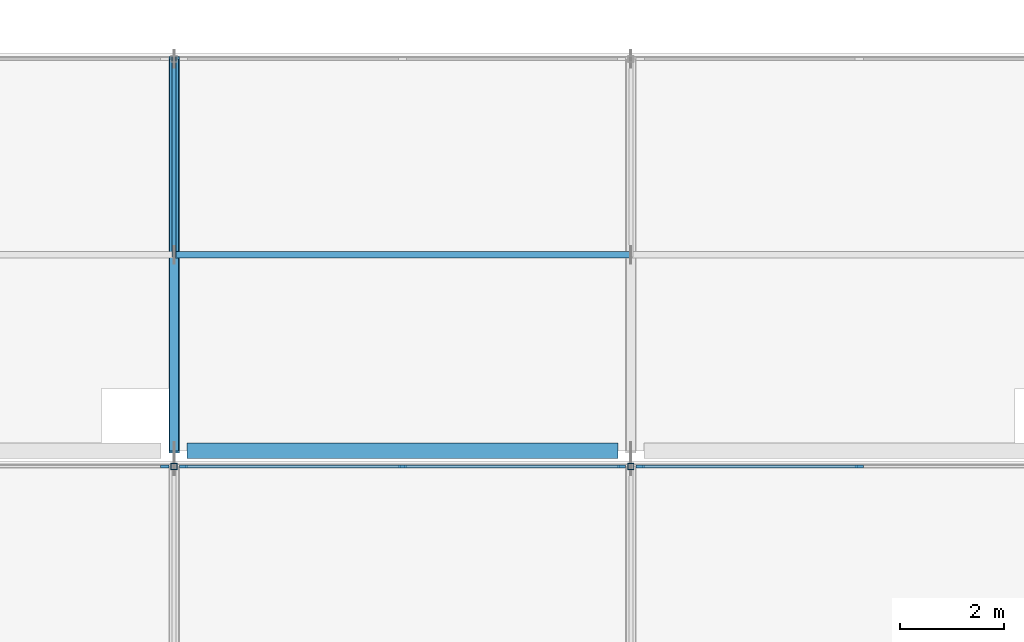
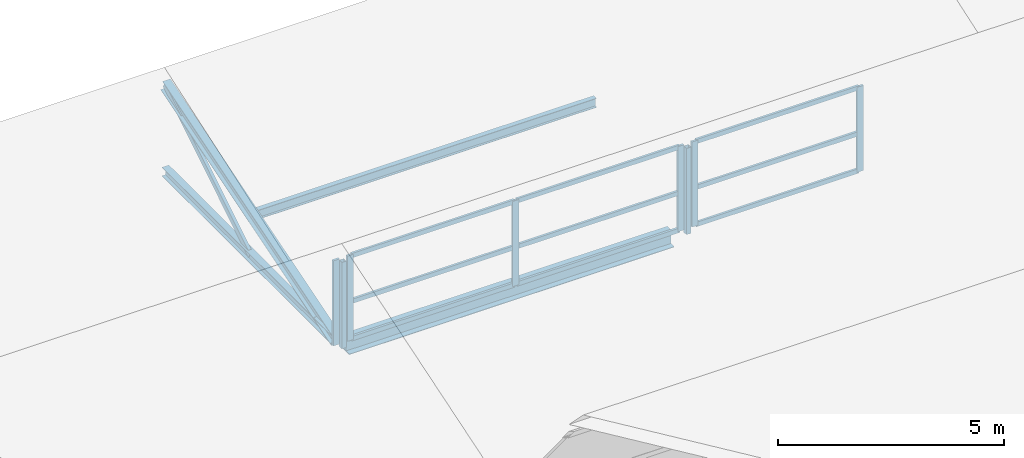
# One storey, part 8 of 40: 21 members, 1 beam, 3 elements without a shape of their own.
"""IFC4 building model written with IfcOpenShell, lengths in metres."""

from ifc_helpers import new_model, si_unit, direction, frame, origin, origin_2d, place, context, subcontext, project, spatial, rectangle, hollow_rectangle, i_section, extrude, material, material_profile, profile_set, type_object, element, aggregate, save


model = new_model("IFC4")

# Units and contexts
model_context = context("Model", 3, precision=1e-05, world=origin(), true_north=direction((0.0, 1.0)))
body_context = subcontext(model_context, "Body", "Model", "MODEL_VIEW")
ifc_project = project(units=[si_unit("LENGTHUNIT", "METRE"), si_unit("AREAUNIT", "SQUARE_METRE"), si_unit("VOLUMEUNIT", "CUBIC_METRE"), si_unit("PLANEANGLEUNIT", "RADIAN"), si_unit("MASSUNIT", "GRAM", prefix="KILO")], contexts=[model_context])

# Site, building, storey
site_placement = place(None, origin())
site = spatial("IfcSite", under=ifc_project, at=site_placement, CompositionType="ELEMENT")
building_placement = place(site_placement, origin())
building = spatial("IfcBuilding", under=site, at=building_placement, Name="Brinegate Botanical Conservatory", CompositionType="ELEMENT")
storey_placement = place(building_placement, frame((0.0, 0.0, 19.199951171875)))
storey = spatial("IfcBuildingStorey", under=building, at=storey_placement, Name="L05", CompositionType="ELEMENT", Elevation=19.199951171875)

# Beam
ifc_material_1 = material(Name="Structural steel Q355B / S355", Category="steel")
ifc_material_profile_1 = material_profile(ifc_material_1, i_section(OverallWidth=0.300048828125, OverallDepth=0.389892578125, WebThickness=0.010009765625, FlangeThickness=0.01611328125, at=origin_2d()), Name="HM 390x300x10x16")
ifc_profile_set_1 = profile_set([ifc_material_profile_1], Name="Structural steel Q355B / S355")
beam_type = type_object("IfcBeamType", Name="Beam_BM-S5", PredefinedType="BEAM", material=ifc_profile_set_1)
beam_placement = place(storey_placement, frame((68.64990234375, 103.60009765625, -0.179931640625), z_axis=(1.0, 0.0, 0.0), x_axis=(0.0, 1.0, 0.0)))
element("IfcBeam", 1, at=beam_placement, inside=storey, type_object=beam_type, Name="Sawtooth valley girder BM-S5 B3.3", PredefinedType="BEAM", context=body_context, shape_type="SweptSolid", body=[
    extrude(i_section(OverallWidth=0.300048828125, OverallDepth=0.389892578125, WebThickness=0.010009765625, FlangeThickness=0.01611328125, at=origin_2d()), origin(), (0.0, 0.0, 1.0), 8.300048828125),
])

# Curtain wall, member
ifc_material_2 = material(Name="Thermally broken anodised aluminium AW-6063-T6", Category="aluminium")
curtain_wall_type = type_object("IfcCurtainWallType", Name="CW_CW-SAW", PredefinedType="USERDEFINED", material=ifc_material_2)
curtain_wall_1_placement = place(storey_placement, origin())
curtain_wall_1 = element("IfcCurtainWall", 2, at=curtain_wall_1_placement, inside=storey, type_object=curtain_wall_type, Name="Sawtooth north-light clerestory B2.2", ObjectType="FACTORY CURTAIN WALL", PredefinedType="USERDEFINED")
ifc_material_profile_2 = material_profile(ifc_material_2, rectangle(XDim=0.06005859375, YDim=0.159912109375, at=origin_2d()), Name="ALUM MULLION 60x160")
ifc_profile_set_2 = profile_set([ifc_material_profile_2], Name="Thermally broken anodised aluminium AW-6063-T6")
member_type_1 = type_object("IfcMemberType", Name="Member_ML-01", PredefinedType="MULLION", material=ifc_profile_set_2)
member_1_placement = place(storey_placement, frame((68.219970703125, 103.300048828125, 0.150146484375), z_axis=(0.0, 0.0, 1.0), x_axis=(0.0, 1.0, 0.0)))
member_1 = element("IfcMember", 3, at=member_1_placement, type_object=member_type_1, Name="CW-SAW mullion 3", PredefinedType="MULLION", context=body_context, shape_type="SweptSolid", body=[
    extrude(rectangle(XDim=0.06005859375, YDim=0.159912109375, at=origin_2d()), origin(), (0.0, 0.0, 1.0), 2.2998046875),
])
aggregate(curtain_wall_1, [member_1])

# Curtain wall, members
curtain_wall_2_placement = place(storey_placement, origin())
curtain_wall_2 = element("IfcCurtainWall", 4, at=curtain_wall_2_placement, inside=storey, type_object=curtain_wall_type, Name="Sawtooth north-light clerestory B2.3", ObjectType="FACTORY CURTAIN WALL", PredefinedType="USERDEFINED")
member_2_placement = place(storey_placement, frame((68.580078125, 103.300048828125, 0.150146484375), z_axis=(0.0, 0.0, 1.0), x_axis=(0.0, 1.0, 0.0)))
member_2 = element("IfcMember", 5, at=member_2_placement, type_object=member_type_1, Name="CW-SAW mullion 1", PredefinedType="MULLION", context=body_context, shape_type="SweptSolid", body=[
    extrude(rectangle(XDim=0.06005859375, YDim=0.159912109375, at=origin_2d()), origin(), (0.0, 0.0, 1.0), 2.2998046875),
])
member_3_placement = place(storey_placement, frame((72.800048828125, 103.300048828125, 0.150146484375), z_axis=(0.0, 0.0, 1.0), x_axis=(0.0, 1.0, 0.0)))
member_3 = element("IfcMember", 6, at=member_3_placement, type_object=member_type_1, Name="CW-SAW mullion 2", PredefinedType="MULLION", context=body_context, shape_type="SweptSolid", body=[
    extrude(rectangle(XDim=0.06005859375, YDim=0.159912109375, at=origin_2d()), origin(), (0.0, 0.0, 1.0), 2.2998046875),
])
member_4_placement = place(storey_placement, frame((77.02001953125, 103.300048828125, 0.150146484375), z_axis=(0.0, 0.0, 1.0), x_axis=(0.0, 1.0, 0.0)))
member_4 = element("IfcMember", 7, at=member_4_placement, type_object=member_type_1, Name="CW-SAW mullion 3", PredefinedType="MULLION", context=body_context, shape_type="SweptSolid", body=[
    extrude(rectangle(XDim=0.06005859375, YDim=0.159912109375, at=origin_2d()), origin(), (0.0, 0.0, 1.0), 2.2998046875),
])

curtain_wall_3_placement = place(storey_placement, origin())
curtain_wall_3 = element("IfcCurtainWall", 8, at=curtain_wall_3_placement, inside=storey, type_object=curtain_wall_type, Name="Sawtooth north-light clerestory B2.4", ObjectType="FACTORY CURTAIN WALL", PredefinedType="USERDEFINED")
member_5_placement = place(storey_placement, frame((77.3798828125, 103.300048828125, 0.150146484375), z_axis=(0.0, 0.0, 1.0), x_axis=(0.0, 1.0, 0.0)))
member_5 = element("IfcMember", 9, at=member_5_placement, type_object=member_type_1, Name="CW-SAW mullion 1", PredefinedType="MULLION", context=body_context, shape_type="SweptSolid", body=[
    extrude(rectangle(XDim=0.06005859375, YDim=0.159912109375, at=origin_2d()), origin(), (0.0, 0.0, 1.0), 2.2998046875),
])
member_6_placement = place(storey_placement, frame((81.60009765625, 103.300048828125, 0.150146484375), z_axis=(0.0, 0.0, 1.0), x_axis=(0.0, 1.0, 0.0)))
member_6 = element("IfcMember", 10, at=member_6_placement, type_object=member_type_1, Name="CW-SAW mullion 2", PredefinedType="MULLION", context=body_context, shape_type="SweptSolid", body=[
    extrude(rectangle(XDim=0.06005859375, YDim=0.159912109375, at=origin_2d()), origin(), (0.0, 0.0, 1.0), 2.2998046875),
])

# Members
ifc_material_profile_3 = material_profile(ifc_material_1, hollow_rectangle(XDim=0.080078125, YDim=0.159912109375, WallThickness=0.006103515625, at=origin_2d()), Name="RHS 160x80x6")
ifc_profile_set_3 = profile_set([ifc_material_profile_3], Name="Structural steel Q355B / S355")
member_type_2 = type_object("IfcMemberType", Name="Member_SB-01", PredefinedType="BRACE", material=ifc_profile_set_3)
member_7_placement = place(storey_placement, frame((68.39990234375, 107.375, 0.02001953125), z_axis=(0.0, 0.850947042806, 0.525251492468), x_axis=(-1.0, 0.0, 0.0)))
element("IfcMember", 11, at=member_7_placement, inside=storey, type_object=member_type_2, Name="Sawtooth web diagonal SB-01 B3.T3", PredefinedType="BRACE", context=body_context, shape_type="SweptSolid", body=[
    extrude(hollow_rectangle(XDim=0.080078125, YDim=0.159912109375, WallThickness=0.006103515625, at=origin_2d()), origin(), (0.0, 0.0, 1.0), 4.43603515625),
])
ifc_material_profile_4 = material_profile(ifc_material_1, i_section(OverallWidth=0.199951171875, OverallDepth=0.2939453125, WebThickness=0.008056640625, FlangeThickness=0.011962890625, at=origin_2d()), Name="HM 294x200x8x12")
ifc_profile_set_4 = profile_set([ifc_material_profile_4], Name="Structural steel Q355B / S355")
member_type_3 = type_object("IfcMemberType", Name="Member_SC-01", PredefinedType="CHORD", material=ifc_profile_set_4)
member_8_placement = place(storey_placement, frame((68.39990234375, 103.60009765625, 0.02001953125), z_axis=(0.0, 0.955527457741, 0.294902149032), x_axis=(-1.0, 0.0, 0.0)))
element("IfcMember", 12, at=member_8_placement, inside=storey, type_object=member_type_3, Name="Sawtooth rafter chord SC-01 B3.T3", PredefinedType="CHORD", context=body_context, shape_type="SweptSolid", body=[
    extrude(i_section(OverallWidth=0.199951171875, OverallDepth=0.2939453125, WebThickness=0.008056640625, FlangeThickness=0.011962890625, at=origin_2d()), origin(), (0.0, 0.0, 1.0), 7.901123046875),
])
ifc_material_profile_5 = material_profile(ifc_material_1, i_section(OverallWidth=0.175048828125, OverallDepth=0.243896484375, WebThickness=0.007080078125, FlangeThickness=0.010986328125, at=origin_2d()), Name="HM 244x175x7x11")
ifc_profile_set_5 = profile_set([ifc_material_profile_5], Name="Structural steel Q355B / S355")
member_type_4 = type_object("IfcMemberType", Name="Member_SC-02", PredefinedType="CHORD", material=ifc_profile_set_5)
member_9_placement = place(storey_placement, frame((68.39990234375, 103.60009765625, 0.02001953125), z_axis=(0.0, 1.0, 0.0), x_axis=(-1.0, 0.0, 0.0)))
element("IfcMember", 13, at=member_9_placement, inside=storey, type_object=member_type_4, Name="Sawtooth bottom tie SC-02 B3.T3", PredefinedType="CHORD", context=body_context, shape_type="SweptSolid", body=[
    extrude(i_section(OverallWidth=0.175048828125, OverallDepth=0.243896484375, WebThickness=0.007080078125, FlangeThickness=0.010986328125, at=origin_2d()), origin(), (0.0, 0.0, 1.0), 7.5498046875),
])
ifc_material_profile_6 = material_profile(ifc_material_1, i_section(OverallWidth=0.125, OverallDepth=0.25, WebThickness=0.006103515625, FlangeThickness=0.009033203125, at=origin_2d()), Name="HN 250x125x6x9")
ifc_profile_set_6 = profile_set([ifc_material_profile_6], Name="Structural steel Q355B / S355")
member_type_5 = type_object("IfcMemberType", Name="Member_SPU-01", PredefinedType="PURLIN", material=ifc_profile_set_6)
member_10_placement = place(storey_placement, frame((68.39990234375, 107.375, 1.094970703125), z_axis=(1.0, 0.0, 0.0), x_axis=(0.0, 1.0, 0.0)))
element("IfcMember", 14, at=member_10_placement, inside=storey, type_object=member_type_5, Name="Sawtooth roof purlin SPU-01 B3.3", PredefinedType="PURLIN", context=body_context, shape_type="SweptSolid", body=[
    extrude(i_section(OverallWidth=0.125, OverallDepth=0.25, WebThickness=0.006103515625, FlangeThickness=0.009033203125, at=origin_2d()), origin(), (0.0, 0.0, 1.0), 8.800048828125),
])
ifc_material_profile_7 = material_profile(ifc_material_1, hollow_rectangle(XDim=0.1201171875, YDim=0.1201171875, WallThickness=0.006103515625, at=origin_2d()), Name="SHS 120x120x6")
ifc_profile_set_7 = profile_set([ifc_material_profile_7], Name="Structural steel Q355B / S355")
member_type_6 = type_object("IfcMemberType", Name="Member_SS-01", PredefinedType="STRUT", material=ifc_profile_set_7)
for number, where, z_axis, x_axis, name in (
    (15, (68.39990234375, 103.300048828125, 0.02001953125), (0.0, 0.0, 1.0), (1.0, 0.0, 0.0), "Sawtooth north clerestory post SS-01 B2.T3"),
    (16, (77.199951171875, 103.300048828125, 0.02001953125), (0.0, 0.0, 1.0), (1.0, 0.0, 0.0), "Sawtooth north clerestory post SS-01 B2.T4"),
):
    element("IfcMember", number, at=place(storey_placement, frame(where, z_axis=z_axis, x_axis=x_axis)), inside=storey, type_object=member_type_6, Name=name, PredefinedType="STRUT", context=body_context, shape_type="SweptSolid", body=[
        extrude(hollow_rectangle(XDim=0.1201171875, YDim=0.1201171875, WallThickness=0.006103515625, at=origin_2d()), origin(), (0.0, 0.0, 1.0), 2.330078125),
    ])

# Member
ifc_material_profile_8 = material_profile(ifc_material_2, rectangle(XDim=0.06005859375, YDim=0.1201171875, at=origin_2d()), Name="ALUM TRANSOM 60x120")
ifc_profile_set_8 = profile_set([ifc_material_profile_8], Name="Thermally broken anodised aluminium AW-6063-T6")
member_type_7 = type_object("IfcMemberType", Name="Member_TR-01", PredefinedType="USERDEFINED", material=ifc_profile_set_8)
member_11_placement = place(storey_placement, frame((68.610107421875, 103.300048828125, 0.179931640625), z_axis=(1.0, 0.0, 0.0), x_axis=(0.0, 1.0, 0.0)))
member_11 = element("IfcMember", 17, at=member_11_placement, type_object=member_type_7, Name="CW-SAW transom 1.1", ObjectType="TRANSOM", PredefinedType="USERDEFINED", context=body_context, shape_type="SweptSolid", body=[
    extrude(rectangle(XDim=0.06005859375, YDim=0.1201171875, at=origin_2d()), origin(), (0.0, 0.0, 1.0), 4.159912109375),
])

member_12_placement = place(storey_placement, frame((68.610107421875, 103.300048828125, 1.18505859375), z_axis=(1.0, 0.0, 0.0), x_axis=(0.0, 1.0, 0.0)))
member_12 = element("IfcMember", 18, at=member_12_placement, type_object=member_type_7, Name="CW-SAW transom 1.2", ObjectType="TRANSOM", PredefinedType="USERDEFINED", context=body_context, shape_type="SweptSolid", body=[
    extrude(rectangle(XDim=0.06005859375, YDim=0.1201171875, at=origin_2d()), origin(), (0.0, 0.0, 1.0), 4.159912109375),
])

member_13_placement = place(storey_placement, frame((68.610107421875, 103.300048828125, 2.420166015625), z_axis=(1.0, 0.0, 0.0), x_axis=(0.0, 1.0, 0.0)))
member_13 = element("IfcMember", 19, at=member_13_placement, type_object=member_type_7, Name="CW-SAW transom 1.3", ObjectType="TRANSOM", PredefinedType="USERDEFINED", context=body_context, shape_type="SweptSolid", body=[
    extrude(rectangle(XDim=0.06005859375, YDim=0.1201171875, at=origin_2d()), origin(), (0.0, 0.0, 1.0), 4.159912109375),
])

member_14_placement = place(storey_placement, frame((72.830078125, 103.300048828125, 0.179931640625), z_axis=(1.0, 0.0, 0.0), x_axis=(0.0, 1.0, 0.0)))
member_14 = element("IfcMember", 20, at=member_14_placement, type_object=member_type_7, Name="CW-SAW transom 2.1", ObjectType="TRANSOM", PredefinedType="USERDEFINED", context=body_context, shape_type="SweptSolid", body=[
    extrude(rectangle(XDim=0.06005859375, YDim=0.1201171875, at=origin_2d()), origin(), (0.0, 0.0, 1.0), 4.159912109375),
])

member_15_placement = place(storey_placement, frame((72.830078125, 103.300048828125, 1.18505859375), z_axis=(1.0, 0.0, 0.0), x_axis=(0.0, 1.0, 0.0)))
member_15 = element("IfcMember", 21, at=member_15_placement, type_object=member_type_7, Name="CW-SAW transom 2.2", ObjectType="TRANSOM", PredefinedType="USERDEFINED", context=body_context, shape_type="SweptSolid", body=[
    extrude(rectangle(XDim=0.06005859375, YDim=0.1201171875, at=origin_2d()), origin(), (0.0, 0.0, 1.0), 4.159912109375),
])

member_16_placement = place(storey_placement, frame((72.830078125, 103.300048828125, 2.420166015625), z_axis=(1.0, 0.0, 0.0), x_axis=(0.0, 1.0, 0.0)))
member_16 = element("IfcMember", 22, at=member_16_placement, type_object=member_type_7, Name="CW-SAW transom 2.3", ObjectType="TRANSOM", PredefinedType="USERDEFINED", context=body_context, shape_type="SweptSolid", body=[
    extrude(rectangle(XDim=0.06005859375, YDim=0.1201171875, at=origin_2d()), origin(), (0.0, 0.0, 1.0), 4.159912109375),
])

aggregate(curtain_wall_2, [member_2, member_3, member_4, member_11, member_12, member_13, member_14, member_15, member_16])

member_17_placement = place(storey_placement, frame((77.409912109375, 103.300048828125, 0.179931640625), z_axis=(1.0, 0.0, 0.0), x_axis=(0.0, 1.0, 0.0)))
member_17 = element("IfcMember", 23, at=member_17_placement, type_object=member_type_7, Name="CW-SAW transom 1.1", ObjectType="TRANSOM", PredefinedType="USERDEFINED", context=body_context, shape_type="SweptSolid", body=[
    extrude(rectangle(XDim=0.06005859375, YDim=0.1201171875, at=origin_2d()), origin(), (0.0, 0.0, 1.0), 4.16015625),
])

member_18_placement = place(storey_placement, frame((77.409912109375, 103.300048828125, 1.18505859375), z_axis=(1.0, 0.0, 0.0), x_axis=(0.0, 1.0, 0.0)))
member_18 = element("IfcMember", 24, at=member_18_placement, type_object=member_type_7, Name="CW-SAW transom 1.2", ObjectType="TRANSOM", PredefinedType="USERDEFINED", context=body_context, shape_type="SweptSolid", body=[
    extrude(rectangle(XDim=0.06005859375, YDim=0.1201171875, at=origin_2d()), origin(), (0.0, 0.0, 1.0), 4.16015625),
])

member_19_placement = place(storey_placement, frame((77.409912109375, 103.300048828125, 2.420166015625), z_axis=(1.0, 0.0, 0.0), x_axis=(0.0, 1.0, 0.0)))
member_19 = element("IfcMember", 25, at=member_19_placement, type_object=member_type_7, Name="CW-SAW transom 1.3", ObjectType="TRANSOM", PredefinedType="USERDEFINED", context=body_context, shape_type="SweptSolid", body=[
    extrude(rectangle(XDim=0.06005859375, YDim=0.1201171875, at=origin_2d()), origin(), (0.0, 0.0, 1.0), 4.16015625),
])

aggregate(curtain_wall_3, [member_5, member_6, member_17, member_18, member_19])

save(model, "model.ifc")
